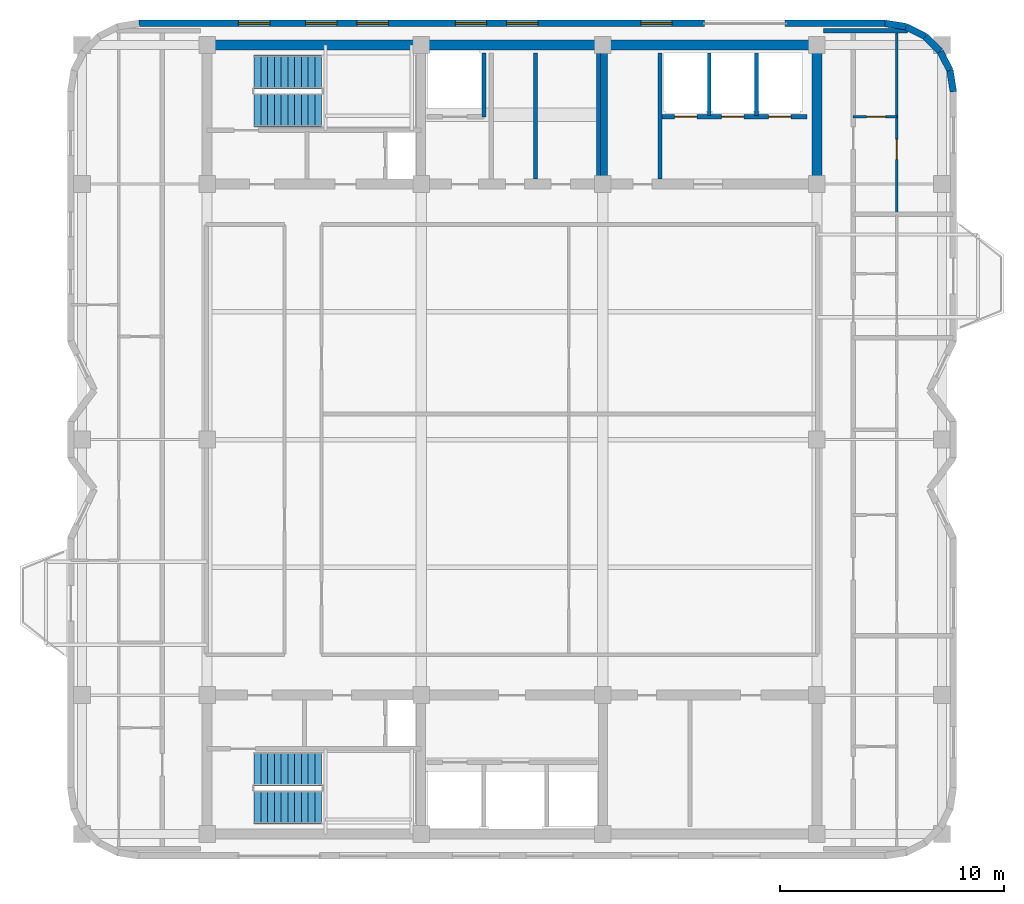
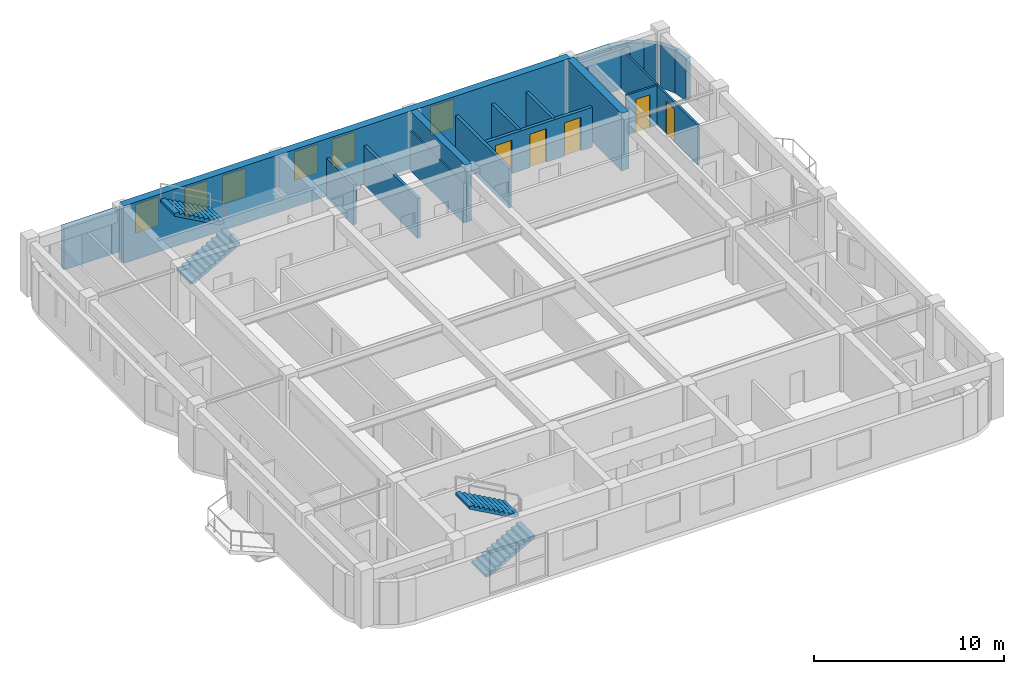
# One storey, part 9 of 11: 20 walls, 6 windows, 5 doors, 4 stair flights, 11 openings, 2 elements without a shape of their own.
"""IFC4 building model written with IfcOpenShell, lengths in metres."""

from ifc_helpers import new_model, si_unit, direction, frame, frame_2d, origin, place, context, subcontext, project, spatial, polyline, rectangle, outline, extrude, material, layer, layer_set, type_object, element, fill, aggregate, save


model = new_model("IFC4")

# Units and contexts
model_context = context("Model", 3, precision=1e-05, world=origin(), true_north=direction((0.0, 1.0)))
body_context = subcontext(model_context, "Body", "Model", "MODEL_VIEW")
ifc_project = project(units=[si_unit("LENGTHUNIT", "METRE"), si_unit("AREAUNIT", "SQUARE_METRE"), si_unit("VOLUMEUNIT", "CUBIC_METRE"), si_unit("PLANEANGLEUNIT", "RADIAN"), si_unit("MASSUNIT", "GRAM", prefix="KILO")], contexts=[model_context])

# Site, building, storey
site_placement = place(None, origin())
site = spatial("IfcSite", under=ifc_project, at=site_placement, CompositionType="ELEMENT")
building_placement = place(site_placement, origin())
building = spatial("IfcBuilding", under=site, at=building_placement, Name="Svetorya Sky Lyceum", CompositionType="ELEMENT")
storey_placement = place(building_placement, frame((0.0, 0.0, 275.0)))
storey = spatial("IfcBuildingStorey", under=building, at=storey_placement, Name="L69", CompositionType="ELEMENT", Elevation=275.0)

# Walls
ifc_material_1 = material(Name="Concrete C40/50", Category="concrete")
ifc_layer_1 = layer(ifc_material_1, 0.39990234375)
ifc_layer_set_1 = layer_set([ifc_layer_1], Name="Concrete C40/50")
wall_type_1 = type_object("IfcWallType", Name="WL-CORE-400", PredefinedType="SHEAR", material=ifc_layer_set_1)
wall_1_placement = place(storey_placement, frame((43.25, 39.824951171875, 0.0), z_axis=(0.0, 0.0, 1.0), x_axis=(0.0, 1.0, 0.0)))
element("IfcWall", 1, at=wall_1_placement, inside=storey, type_object=wall_type_1, Name="L69 NC Internal Shear Web WEB2", PredefinedType="SHEAR", context=body_context, shape_type="SweptSolid", body=[
    extrude(rectangle(XDim=5.75, YDim=0.39990234375, at=frame_2d((2.875, 0.0))), origin(), (0.0, 0.0, 1.0), 3.699951171875),
])
ifc_material_2 = material(Name="Concrete C50/60", Category="concrete")
ifc_layer_2 = layer(ifc_material_2, 0.449951171875)
ifc_layer_set_2 = layer_set([ifc_layer_2], Name="Concrete C50/60")
wall_type_2 = type_object("IfcWallType", Name="WL-CORE-450", PredefinedType="SHEAR", material=ifc_layer_set_2)
wall_2_placement = place(storey_placement, frame((25.60009765625, 45.800048828125, 0.0), z_axis=(0.0, 0.0, 1.0), x_axis=(1.0, 0.0, 0.0)))
element("IfcWall", 2, at=wall_2_placement, inside=storey, type_object=wall_type_2, Name="L69 NC Outer Core Shear Wall", PredefinedType="SHEAR", context=body_context, shape_type="SweptSolid", body=[
    extrude(rectangle(XDim=27.199951171875, YDim=0.449951171875, at=frame_2d((13.60009765625, 0.0))), origin(), (0.0, 0.0, 1.0), 3.699951171875),
])
wall_3_placement = place(storey_placement, frame((52.800048828125, 39.824951171875, 0.0), z_axis=(0.0, 0.0, 1.0), x_axis=(0.0, 1.0, 0.0)))
element("IfcWall", 3, at=wall_3_placement, inside=storey, type_object=wall_type_2, Name="L69 NC East Core Shear Wall", PredefinedType="SHEAR", context=body_context, shape_type="SweptSolid", body=[
    extrude(rectangle(XDim=5.75, YDim=0.449951171875, at=frame_2d((2.875, 0.0))), origin(), (0.0, 0.0, 1.0), 3.699951171875),
])
ifc_material_3 = material(Name="Putilovo limestone rainscreen on autoclaved cellular masonry", Category="masonry")
ifc_layer_3 = layer(ifc_material_3, 0.300048828125)
ifc_layer_set_3 = layer_set([ifc_layer_3], Name="Putilovo limestone rainscreen on autoclaved cellular masonry")
wall_type_3 = type_object("IfcWallType", Name="WL-EXT-300", PredefinedType="SOLIDWALL", material=ifc_layer_set_3)
wall_4_placement = place(storey_placement, frame((58.889892578125, 43.719970703125, 0.0), z_axis=(0.0, 0.0, 1.0), x_axis=(-0.156304114255, 0.987708977314, 0.0)))
element("IfcWall", 4, at=wall_4_placement, inside=storey, type_object=wall_type_3, Name="L69 Limestone Exterior Wall 19M", PredefinedType="SOLIDWALL", context=body_context, shape_type="SweptSolid", body=[
    extrude(rectangle(XDim=0.954345703125, YDim=0.300048828125, at=frame_2d((0.47705078125, 0.0))), origin(), (0.0, 0.0, 1.0), 2.72998046875),
])
wall_5_placement = place(storey_placement, frame((58.74072265625, 44.66259765625, 0.0), z_axis=(0.0, 0.0, 1.0), x_axis=(-0.45395644796, 0.891023873617, 0.0)))
element("IfcWall", 5, at=wall_5_placement, inside=storey, type_object=wall_type_3, Name="L69 Limestone Exterior Wall 20M", PredefinedType="SOLIDWALL", context=body_context, shape_type="SweptSolid", body=[
    extrude(rectangle(XDim=0.9541015625, YDim=0.300048828125, at=frame_2d((0.47705078125, 0.0))), origin(), (0.0, 0.0, 1.0), 2.72998046875),
])
for number, where, z_axis, x_axis, name in (
    (6, (58.3076171875, 45.5126953125, 0.0), (0.0, 0.0, 1.0), (-0.707106781187, 0.707106781187, 0.0), "L69 Limestone Exterior Wall 21M"),
    (7, (57.6328125, 46.1875, 0.0), (0.0, 0.0, 1.0), (-0.891076589373, 0.453852962833, 0.0), "L69 Limestone Exterior Wall 22M"),
):
    element("IfcWall", number, at=place(storey_placement, frame(where, z_axis=z_axis, x_axis=x_axis)), inside=storey, type_object=wall_type_3, Name=name, PredefinedType="SOLIDWALL", context=body_context, shape_type="SweptSolid", body=[
        extrude(rectangle(XDim=0.954345703125, YDim=0.300048828125, at=frame_2d((0.47705078125, 0.0))), origin(), (0.0, 0.0, 1.0), 2.72998046875),
    ])
wall_6_placement = place(storey_placement, frame((56.782470703125, 46.62060546875, 0.0), z_axis=(0.0, 0.0, 1.0), x_axis=(-0.987663181641, 0.156593229835, 0.0)))
element("IfcWall", 8, at=wall_6_placement, inside=storey, type_object=wall_type_3, Name="L69 Limestone Exterior Wall 23M", PredefinedType="SOLIDWALL", context=body_context, shape_type="SweptSolid", body=[
    extrude(rectangle(XDim=0.9541015625, YDim=0.300048828125, at=frame_2d((0.47705078125, 0.0))), origin(), (0.0, 0.0, 1.0), 2.72998046875),
])
wall_7_placement = place(storey_placement, frame((55.840087890625, 46.77001953125, 0.0), z_axis=(0.0, 0.0, 1.0), x_axis=(-1.0, 0.0, 0.0)))
element("IfcWall", 9, at=wall_7_placement, inside=storey, type_object=wall_type_3, Name="L69 Limestone Exterior Wall 24A", PredefinedType="SOLIDWALL", context=body_context, shape_type="SweptSolid", body=[
    extrude(rectangle(XDim=4.4501953125, YDim=0.300048828125, at=frame_2d((2.22509765625, 0.0))), origin(), (0.0, 0.0, 1.0), 2.72998046875),
])

# Wall, openings, windows
wall_8_placement = place(storey_placement, frame((47.7900390625, 46.77001953125, 0.0), z_axis=(0.0, 0.0, 1.0), x_axis=(-1.0, 0.0, 0.0)))
wall_8 = element("IfcWall", 10, at=wall_8_placement, inside=storey, type_object=wall_type_3, Name="L69 Limestone Exterior Wall 24B", PredefinedType="SOLIDWALL", context=body_context, shape_type="SweptSolid", body=[
    extrude(rectangle(XDim=25.22998046875, YDim=0.300048828125, at=frame_2d((12.614990234375, 0.0))), origin(), (0.0, 0.0, 1.0), 2.72998046875),
])
opening_1_placement = place(wall_8_placement, frame((1.445556640625, 0.0, 0.760009765625)))
opening_1 = element("IfcOpeningElement", 11, at=opening_1_placement, cuts=wall_8, Name="Opening W-R2", PredefinedType="OPENING", context=body_context, shape_type="SweptSolid", body=[
    extrude(rectangle(XDim=1.39990234375, YDim=1.85009765625, at=frame_2d((0.699951171875, 0.925048828125))), frame((0.0, 0.159912109375, 0.0), z_axis=(0.0, -1.0, 0.0), x_axis=(1.0, 0.0, 0.0)), (0.0, 0.0, 1.0), 0.320068359375),
])
opening_2_placement = place(wall_8_placement, frame((7.427978515625, 0.0, 0.760009765625)))
opening_2 = element("IfcOpeningElement", 12, at=opening_2_placement, cuts=wall_8, Name="Opening W-R2", PredefinedType="OPENING", context=body_context, shape_type="SweptSolid", body=[
    extrude(rectangle(XDim=1.39990234375, YDim=1.85009765625, at=frame_2d((0.699951171875, 0.925048828125))), frame((0.0, 0.159912109375, 0.0), z_axis=(0.0, -1.0, 0.0), x_axis=(1.0, 0.0, 0.0)), (0.0, 0.0, 1.0), 0.320068359375),
])
opening_3_placement = place(wall_8_placement, frame((9.719482421875, 0.0, 0.760009765625)))
opening_3 = element("IfcOpeningElement", 13, at=opening_3_placement, cuts=wall_8, Name="Opening W-R2", PredefinedType="OPENING", context=body_context, shape_type="SweptSolid", body=[
    extrude(rectangle(XDim=1.39990234375, YDim=1.85009765625, at=frame_2d((0.699951171875, 0.925048828125))), frame((0.0, 0.159912109375, 0.0), z_axis=(0.0, -1.0, 0.0), x_axis=(1.0, 0.0, 0.0)), (0.0, 0.0, 1.0), 0.320068359375),
])
opening_4_placement = place(wall_8_placement, frame((14.110595703125, 0.0, 0.760009765625)))
opening_4 = element("IfcOpeningElement", 14, at=opening_4_placement, cuts=wall_8, Name="Opening W-R2", PredefinedType="OPENING", context=body_context, shape_type="SweptSolid", body=[
    extrude(rectangle(XDim=1.39990234375, YDim=1.85009765625, at=frame_2d((0.699951171875, 0.925048828125))), frame((0.0, 0.159912109375, 0.0), z_axis=(0.0, -1.0, 0.0), x_axis=(1.0, 0.0, 0.0)), (0.0, 0.0, 1.0), 0.320068359375),
])
opening_5_placement = place(wall_8_placement, frame((16.40185546875, 0.0, 0.760009765625)))
opening_5 = element("IfcOpeningElement", 15, at=opening_5_placement, cuts=wall_8, Name="Opening W-R2", PredefinedType="OPENING", context=body_context, shape_type="SweptSolid", body=[
    extrude(rectangle(XDim=1.39990234375, YDim=1.85009765625, at=frame_2d((0.699951171875, 0.925048828125))), frame((0.0, 0.159912109375, 0.0), z_axis=(0.0, -1.0, 0.0), x_axis=(1.0, 0.0, 0.0)), (0.0, 0.0, 1.0), 0.320068359375),
])
opening_6_placement = place(wall_8_placement, frame((19.39306640625, 0.0, 0.760009765625)))
opening_6 = element("IfcOpeningElement", 16, at=opening_6_placement, cuts=wall_8, Name="Opening W-R2", PredefinedType="OPENING", context=body_context, shape_type="SweptSolid", body=[
    extrude(rectangle(XDim=1.39990234375, YDim=1.85009765625, at=frame_2d((0.699951171875, 0.925048828125))), frame((0.0, 0.159912109375, 0.0), z_axis=(0.0, -1.0, 0.0), x_axis=(1.0, 0.0, 0.0)), (0.0, 0.0, 1.0), 0.320068359375),
])
ifc_material_4 = material(Name="Thermally broken aluminium frame with triple low-E glazing", Category="aluminium")
window_type = type_object("IfcWindowType", Name="WN-RES-140", PartitioningType="SINGLE_PANEL", PredefinedType="WINDOW", material=ifc_material_4)
window_1_placement = place(opening_1_placement, origin())
window_1 = element("IfcWindow", 17, at=window_1_placement, inside=storey, type_object=window_type, Name="L69 Facade Window W-R2.24B.1", OverallHeight=1.85009765625, OverallWidth=1.39990234375, PartitioningType="SINGLE_PANEL", PredefinedType="WINDOW", context=body_context, shape_type="SweptSolid", body=[
    extrude(rectangle(XDim=1.39990234375, YDim=1.85009765625, at=frame_2d((0.699951171875, 0.925048828125))), frame((0.0, 0.030029296875, 0.0), z_axis=(0.0, -1.0, 0.0), x_axis=(1.0, 0.0, 0.0)), (0.0, 0.0, 1.0), 0.06005859375),
])
fill(opening_1, window_1)
window_2_placement = place(opening_2_placement, origin())
window_2 = element("IfcWindow", 18, at=window_2_placement, inside=storey, type_object=window_type, Name="L69 Facade Window W-R2.24B.2", OverallHeight=1.85009765625, OverallWidth=1.39990234375, PartitioningType="SINGLE_PANEL", PredefinedType="WINDOW", context=body_context, shape_type="SweptSolid", body=[
    extrude(rectangle(XDim=1.39990234375, YDim=1.85009765625, at=frame_2d((0.699951171875, 0.925048828125))), frame((0.0, 0.030029296875, 0.0), z_axis=(0.0, -1.0, 0.0), x_axis=(1.0, 0.0, 0.0)), (0.0, 0.0, 1.0), 0.06005859375),
])
fill(opening_2, window_2)
window_3_placement = place(opening_3_placement, origin())
window_3 = element("IfcWindow", 19, at=window_3_placement, inside=storey, type_object=window_type, Name="L69 Facade Window W-R2.24B.3", OverallHeight=1.85009765625, OverallWidth=1.39990234375, PartitioningType="SINGLE_PANEL", PredefinedType="WINDOW", context=body_context, shape_type="SweptSolid", body=[
    extrude(rectangle(XDim=1.39990234375, YDim=1.85009765625, at=frame_2d((0.699951171875, 0.925048828125))), frame((0.0, 0.030029296875, 0.0), z_axis=(0.0, -1.0, 0.0), x_axis=(1.0, 0.0, 0.0)), (0.0, 0.0, 1.0), 0.06005859375),
])
fill(opening_3, window_3)
window_4_placement = place(opening_4_placement, origin())
window_4 = element("IfcWindow", 20, at=window_4_placement, inside=storey, type_object=window_type, Name="L69 Facade Window W-R2.24B.4", OverallHeight=1.85009765625, OverallWidth=1.39990234375, PartitioningType="SINGLE_PANEL", PredefinedType="WINDOW", context=body_context, shape_type="SweptSolid", body=[
    extrude(rectangle(XDim=1.39990234375, YDim=1.85009765625, at=frame_2d((0.699951171875, 0.925048828125))), frame((0.0, 0.030029296875, 0.0), z_axis=(0.0, -1.0, 0.0), x_axis=(1.0, 0.0, 0.0)), (0.0, 0.0, 1.0), 0.06005859375),
])
fill(opening_4, window_4)
window_5_placement = place(opening_5_placement, origin())
window_5 = element("IfcWindow", 21, at=window_5_placement, inside=storey, type_object=window_type, Name="L69 Facade Window W-R2.24B.5", OverallHeight=1.85009765625, OverallWidth=1.39990234375, PartitioningType="SINGLE_PANEL", PredefinedType="WINDOW", context=body_context, shape_type="SweptSolid", body=[
    extrude(rectangle(XDim=1.39990234375, YDim=1.85009765625, at=frame_2d((0.699951171875, 0.925048828125))), frame((0.0, 0.030029296875, 0.0), z_axis=(0.0, -1.0, 0.0), x_axis=(1.0, 0.0, 0.0)), (0.0, 0.0, 1.0), 0.06005859375),
])
fill(opening_5, window_5)
window_6_placement = place(opening_6_placement, origin())
window_6 = element("IfcWindow", 22, at=window_6_placement, inside=storey, type_object=window_type, Name="L69 Facade Window W-R2.24B.6", OverallHeight=1.85009765625, OverallWidth=1.39990234375, PartitioningType="SINGLE_PANEL", PredefinedType="WINDOW", context=body_context, shape_type="SweptSolid", body=[
    extrude(rectangle(XDim=1.39990234375, YDim=1.85009765625, at=frame_2d((0.699951171875, 0.925048828125))), frame((0.0, 0.030029296875, 0.0), z_axis=(0.0, -1.0, 0.0), x_axis=(1.0, 0.0, 0.0)), (0.0, 0.0, 1.0), 0.06005859375),
])
fill(opening_6, window_6)

# Wall, opening, door
ifc_material_5 = material(Name="Twin-stud galvanized framing with double fireboard", Category="gypsum")
ifc_layer_4 = layer(ifc_material_5, 0.1201171875)
ifc_layer_set_4 = layer_set([ifc_layer_4], Name="Twin-stud galvanized framing with double fireboard")
wall_type_4 = type_object("IfcWallType", Name="WL-PART-120", PredefinedType="PARTITIONING", material=ifc_layer_set_4)
wall_9_placement = place(storey_placement, frame((54.419921875, 42.60009765625, 0.0), z_axis=(0.0, 0.0, 1.0), x_axis=(1.0, 0.0, 0.0)))
wall_9 = element("IfcWall", 23, at=wall_9_placement, inside=storey, type_object=wall_type_4, Name="L69 Interior Partition E4-WH1", PredefinedType="PARTITIONING", context=body_context, shape_type="SweptSolid", body=[
    extrude(rectangle(XDim=1.9501953125, YDim=0.1201171875, at=frame_2d((0.97509765625, 0.0))), origin(), (0.0, 0.0, 1.0), 2.56005859375),
])
opening_7_placement = place(wall_9_placement, frame((0.60009765625, 0.0, 0.0)))
opening_7 = element("IfcOpeningElement", 24, at=opening_7_placement, cuts=wall_9, Name="Opening D-BT1", PredefinedType="OPENING", context=body_context, shape_type="SweptSolid", body=[
    extrude(rectangle(XDim=0.85009765625, YDim=2.10009765625, at=frame_2d((0.425048828125, 1.050048828125))), frame((0.0, 0.070068359375, 0.0), z_axis=(0.0, -1.0, 0.0), x_axis=(1.0, 0.0, 0.0)), (0.0, 0.0, 1.0), 0.14013671875),
])
ifc_material_6 = material(Name="Moisture-resistant laminate bathroom door")
door_type_1 = type_object("IfcDoorType", Name="DR-WET-850", OperationType="SINGLE_SWING_LEFT", PredefinedType="DOOR", material=ifc_material_6)
door_1_placement = place(opening_7_placement, origin())
door_1 = element("IfcDoor", 25, at=door_1_placement, inside=storey, type_object=door_type_1, Name="Apartment E4 Bathroom Door", OperationType="SINGLE_SWING_LEFT", OverallHeight=2.10009765625, OverallWidth=0.85009765625, PredefinedType="DOOR", context=body_context, shape_type="SweptSolid", body=[
    extrude(rectangle(XDim=0.85009765625, YDim=2.10009765625, at=frame_2d((0.425048828125, 1.050048828125))), frame((0.0, 0.02490234375, 0.0), z_axis=(0.0, -1.0, 0.0), x_axis=(1.0, 0.0, 0.0)), (0.0, 0.0, 1.0), 0.050048828125),
])
fill(opening_7, door_1)

wall_10_placement = place(storey_placement, frame((56.3701171875, 38.2900390625, 0.0), z_axis=(0.0, 0.0, 1.0), x_axis=(0.0, 1.0, 0.0)))
wall_10 = element("IfcWall", 26, at=wall_10_placement, inside=storey, type_object=wall_type_4, Name="L69 Interior Partition E4-WV", PredefinedType="PARTITIONING", context=body_context, shape_type="SweptSolid", body=[
    extrude(rectangle(XDim=8.119873046875, YDim=0.1201171875, at=frame_2d((4.06005859375, 0.0))), origin(), (0.0, 0.0, 1.0), 2.56005859375),
])
opening_8_placement = place(wall_10_placement, frame((2.409912109375, 0.0, 0.0)))
opening_8 = element("IfcOpeningElement", 27, at=opening_8_placement, cuts=wall_10, Name="Opening D-RM1", PredefinedType="OPENING", context=body_context, shape_type="SweptSolid", body=[
    extrude(rectangle(XDim=0.89990234375, YDim=2.10009765625, at=frame_2d((0.449951171875, 1.050048828125))), frame((0.0, 0.070068359375, 0.0), z_axis=(0.0, -1.0, 0.0), x_axis=(1.0, 0.0, 0.0)), (0.0, 0.0, 1.0), 0.14013671875),
])
ifc_material_7 = material(Name="Lacquered birch veneer internal door")
door_type_2 = type_object("IfcDoorType", Name="DR-INT-900", OperationType="SINGLE_SWING_LEFT", PredefinedType="DOOR", material=ifc_material_7)
door_2_placement = place(opening_8_placement, origin())
door_2 = element("IfcDoor", 28, at=door_2_placement, inside=storey, type_object=door_type_2, Name="Apartment E4 Living Door", OperationType="SINGLE_SWING_RIGHT", OverallHeight=2.10009765625, OverallWidth=0.89990234375, PredefinedType="DOOR", context=body_context, shape_type="SweptSolid", body=[
    extrude(rectangle(XDim=0.89990234375, YDim=2.10009765625, at=frame_2d((0.449951171875, 1.050048828125))), frame((0.0, 0.02490234375, 0.0), z_axis=(0.0, -1.0, 0.0), x_axis=(1.0, 0.0, 0.0)), (0.0, 0.0, 1.0), 0.050048828125),
])
fill(opening_8, door_2)

# Walls
ifc_material_8 = material(Name="Autoclaved cellular masonry blockwork with fire render", Category="masonry")
ifc_layer_5 = layer(ifc_material_8, 0.175048828125)
ifc_layer_set_5 = layer_set([ifc_layer_5], Name="Autoclaved cellular masonry blockwork with fire render")
wall_type_5 = type_object("IfcWallType", Name="WL-PART-175", PredefinedType="PARTITIONING", material=ifc_layer_set_5)
wall_11_placement = place(storey_placement, frame((37.949951171875, 42.60009765625, 0.0), z_axis=(0.0, 0.0, 1.0), x_axis=(0.0, 1.0, 0.0)))
element("IfcWall", 29, at=wall_11_placement, inside=storey, type_object=wall_type_5, Name="L69 Interior Partition NC-FL1SIDE", PredefinedType="PARTITIONING", context=body_context, shape_type="SweptSolid", body=[
    extrude(rectangle(XDim=2.849853515625, YDim=0.175048828125, at=frame_2d((1.4248046875, 0.0))), origin(), (0.0, 0.0, 1.0), 2.56005859375),
])
for number, where, z_axis, x_axis, name in (
    (30, (43.050048828125, 39.820068359375, 0.0), (0.0, 0.0, 1.0), (0.0, 1.0, 0.0), "L69 Interior Partition NC-FPM-END"),
    (31, (40.25, 39.820068359375, 0.0), (0.0, 0.0, 1.0), (0.0, 1.0, 0.0), "L69 Interior Partition NC-FPM-V2"),
    (32, (45.800048828125, 39.820068359375, 0.0), (0.0, 0.0, 1.0), (0.0, 1.0, 0.0), "L69 Interior Partition NC-PM3-FULL"),
):
    element("IfcWall", number, at=place(storey_placement, frame(where, z_axis=z_axis, x_axis=x_axis)), inside=storey, type_object=wall_type_5, Name=name, PredefinedType="PARTITIONING", context=body_context, shape_type="SweptSolid", body=[
        extrude(rectangle(XDim=5.6298828125, YDim=0.175048828125, at=frame_2d((2.81494140625, 0.0))), origin(), (0.0, 0.0, 1.0), 2.56005859375),
    ])
for number, where, z_axis, x_axis, name in (
    (33, (48.0, 42.64990234375, 0.0), (0.0, 0.0, 1.0), (0.0, 1.0, 0.0), "L69 Interior Partition NC-PH-D1"),
    (34, (50.10009765625, 42.64990234375, 0.0), (0.0, 0.0, 1.0), (0.0, 1.0, 0.0), "L69 Interior Partition NC-PH-D2"),
):
    element("IfcWall", number, at=place(storey_placement, frame(where, z_axis=z_axis, x_axis=x_axis)), inside=storey, type_object=wall_type_5, Name=name, PredefinedType="PARTITIONING", context=body_context, shape_type="SweptSolid", body=[
        extrude(rectangle(XDim=2.800048828125, YDim=0.175048828125, at=frame_2d((1.39990234375, 0.0))), origin(), (0.0, 0.0, 1.0), 2.56005859375),
    ])

# Wall, openings, doors
ifc_material_9 = material(Name="Autoclaved cellular masonry blockwork with gypsum plaster", Category="masonry")
ifc_layer_6 = layer(ifc_material_9, 0.199951171875)
ifc_layer_set_6 = layer_set([ifc_layer_6], Name="Autoclaved cellular masonry blockwork with gypsum plaster")
wall_type_6 = type_object("IfcWallType", Name="WL-PART-200", PredefinedType="PARTITIONING", material=ifc_layer_set_6)
wall_12_placement = place(storey_placement, frame((52.35009765625, 42.60009765625, 0.0), z_axis=(0.0, 0.0, 1.0), x_axis=(-1.0, 0.0, 0.0)))
wall_12 = element("IfcWall", 35, at=wall_12_placement, inside=storey, type_object=wall_type_6, Name="L69 Interior Partition NC-PHEW", PredefinedType="PARTITIONING", context=body_context, shape_type="SweptSolid", body=[
    extrude(rectangle(XDim=6.5, YDim=0.199951171875, at=frame_2d((3.25, 0.0))), origin(), (0.0, 0.0, 1.0), 2.56005859375),
])
opening_9_placement = place(wall_12_placement, frame((4.89990234375, 0.0, 0.0)))
opening_9 = element("IfcOpeningElement", 36, at=opening_9_placement, cuts=wall_12, Name="Opening LD-P1", PredefinedType="OPENING", context=body_context, shape_type="SweptSolid", body=[
    extrude(rectangle(XDim=1.0, YDim=2.14990234375, at=frame_2d((0.5, 1.074951171875))), frame((0.0, 0.10986328125, 0.0), z_axis=(0.0, -1.0, 0.0), x_axis=(1.0, 0.0, 0.0)), (0.0, 0.0, 1.0), 0.219970703125),
])
opening_10_placement = place(wall_12_placement, frame((2.800048828125, 0.0, 0.0)))
opening_10 = element("IfcOpeningElement", 37, at=opening_10_placement, cuts=wall_12, Name="Opening LD-P1", PredefinedType="OPENING", context=body_context, shape_type="SweptSolid", body=[
    extrude(rectangle(XDim=1.0, YDim=2.14990234375, at=frame_2d((0.5, 1.074951171875))), frame((0.0, 0.10986328125, 0.0), z_axis=(0.0, -1.0, 0.0), x_axis=(1.0, 0.0, 0.0)), (0.0, 0.0, 1.0), 0.219970703125),
])
opening_11_placement = place(wall_12_placement, frame((0.699951171875, 0.0, 0.0)))
opening_11 = element("IfcOpeningElement", 38, at=opening_11_placement, cuts=wall_12, Name="Opening LD-P1", PredefinedType="OPENING", context=body_context, shape_type="SweptSolid", body=[
    extrude(rectangle(XDim=1.0, YDim=2.14990234375, at=frame_2d((0.5, 1.074951171875))), frame((0.0, 0.10986328125, 0.0), z_axis=(0.0, -1.0, 0.0), x_axis=(1.0, 0.0, 0.0)), (0.0, 0.0, 1.0), 0.219970703125),
])
ifc_material_10 = material(Name="Champagne-anodized stainless passenger lift landing door")
door_type_3 = type_object("IfcDoorType", Name="DR-LIFT-1000", OperationType="SLIDING_TO_LEFT", PredefinedType="DOOR", material=ifc_material_10)
door_3_placement = place(opening_9_placement, origin())
door_3 = element("IfcDoor", 39, at=door_3_placement, inside=storey, type_object=door_type_3, Name="L69 Passenger Lift PH1 Landing Door", OperationType="SLIDING_TO_LEFT", OverallHeight=2.14990234375, OverallWidth=1.0, PredefinedType="DOOR", context=body_context, shape_type="SweptSolid", body=[
    extrude(rectangle(XDim=1.0, YDim=2.14990234375, at=frame_2d((0.5, 1.074951171875))), frame((0.0, 0.02490234375, 0.0), z_axis=(0.0, -1.0, 0.0), x_axis=(1.0, 0.0, 0.0)), (0.0, 0.0, 1.0), 0.050048828125),
])
fill(opening_9, door_3)
door_4_placement = place(opening_10_placement, origin())
door_4 = element("IfcDoor", 40, at=door_4_placement, inside=storey, type_object=door_type_3, Name="L69 Passenger Lift PH2 Landing Door", OperationType="SLIDING_TO_LEFT", OverallHeight=2.14990234375, OverallWidth=1.0, PredefinedType="DOOR", context=body_context, shape_type="SweptSolid", body=[
    extrude(rectangle(XDim=1.0, YDim=2.14990234375, at=frame_2d((0.5, 1.074951171875))), frame((0.0, 0.02490234375, 0.0), z_axis=(0.0, -1.0, 0.0), x_axis=(1.0, 0.0, 0.0)), (0.0, 0.0, 1.0), 0.050048828125),
])
fill(opening_10, door_4)
door_5_placement = place(opening_11_placement, origin())
door_5 = element("IfcDoor", 41, at=door_5_placement, inside=storey, type_object=door_type_3, Name="L69 Passenger Lift PH3 Landing Door", OperationType="SLIDING_TO_LEFT", OverallHeight=2.14990234375, OverallWidth=1.0, PredefinedType="DOOR", context=body_context, shape_type="SweptSolid", body=[
    extrude(rectangle(XDim=1.0, YDim=2.14990234375, at=frame_2d((0.5, 1.074951171875))), frame((0.0, 0.02490234375, 0.0), z_axis=(0.0, -1.0, 0.0), x_axis=(1.0, 0.0, 0.0)), (0.0, 0.0, 1.0), 0.050048828125),
])
fill(opening_11, door_5)

# Wall
wall_13_placement = place(storey_placement, frame((53.10009765625, 46.449951171875, 0.0), z_axis=(0.0, 0.0, 1.0), x_axis=(1.0, 0.0, 0.0)))
element("IfcWall", 42, at=wall_13_placement, inside=storey, type_object=wall_type_6, Name="L69 Interior Partition E-CAP-N", PredefinedType="PARTITIONING", context=body_context, shape_type="SweptSolid", body=[
    extrude(rectangle(XDim=3.75390625, YDim=0.199951171875, at=frame_2d((1.876953125, 0.0))), origin(), (0.0, 0.0, 1.0), 2.56005859375),
])

# Stair, stair flights
stair_type_1 = type_object("IfcStairType", Name="STR-ST-N", PredefinedType="HALF_TURN_STAIR", material=ifc_material_1)
stair_1_placement = place(storey_placement, origin())
stair_1 = element("IfcStair", 43, at=stair_1_placement, inside=storey, type_object=stair_type_1, Name="L69 North Core Smoke-Free Exit Stair N3", PredefinedType="HALF_TURN_STAIR")
stair_flight_type_1 = type_object("IfcStairFlightType", Name="SFL-ST-N", PredefinedType="STRAIGHT", material=ifc_material_1)
stair_flight_1_placement = place(storey_placement, frame((27.699951171875, 42.89990234375, 0.0), z_axis=(0.0, 0.0, 1.0), x_axis=(1.0, 0.0, 0.0)))
stair_flight_1 = element("IfcStairFlight", 44, at=stair_flight_1_placement, type_object=stair_flight_type_1, Name="ST-N flight 1", NumberOfRisers=11, NumberOfTreads=10, PredefinedType="STRAIGHT", RiserHeight=0.168181818, TreadLength=0.3, context=body_context, shape_type="SweptSolid", body=[
    extrude(outline(polyline([(0.0, 0.0), (0.0, 0.168212890625), (0.300048828125, 0.168212890625), (0.300048828125, 0.33642578125), (0.60009765625, 0.33642578125), (0.60009765625, 0.504638671875), (0.89990234375, 0.504638671875), (0.89990234375, 0.672607421875), (1.199951171875, 0.672607421875), (1.199951171875, 0.8408203125), (1.5, 0.8408203125), (1.5, 1.009033203125), (1.800048828125, 1.009033203125), (1.800048828125, 1.17724609375), (2.10009765625, 1.17724609375), (2.10009765625, 1.345458984375), (2.39990234375, 1.345458984375), (2.39990234375, 1.513671875), (2.699951171875, 1.513671875), (2.699951171875, 1.681884765625), (3.0, 1.681884765625), (3.0, 1.85009765625), (3.0, 1.510009765625), (0.306640625, 0.0), (0.0, 0.0)])), frame((0.0, 0.75, 0.0), z_axis=(0.0, -1.0, 0.0), x_axis=(1.0, 0.0, 0.0)), (0.0, 0.0, 1.0), 1.5),
])
stair_flight_2_placement = place(storey_placement, frame((30.699951171875, 44.60009765625, 1.85009765625), z_axis=(0.0, 0.0, 1.0), x_axis=(-1.0, 0.0, 0.0)))
stair_flight_2 = element("IfcStairFlight", 45, at=stair_flight_2_placement, type_object=stair_flight_type_1, Name="ST-N flight 2", NumberOfRisers=11, NumberOfTreads=10, PredefinedType="STRAIGHT", RiserHeight=0.168181818, TreadLength=0.3, context=body_context, shape_type="SweptSolid", body=[
    extrude(outline(polyline([(0.0, 0.0), (0.0, 0.168212890625), (0.300048828125, 0.168212890625), (0.300048828125, 0.33642578125), (0.60009765625, 0.33642578125), (0.60009765625, 0.504638671875), (0.89990234375, 0.504638671875), (0.89990234375, 0.672607421875), (1.199951171875, 0.672607421875), (1.199951171875, 0.8408203125), (1.5, 0.8408203125), (1.5, 1.009033203125), (1.800048828125, 1.009033203125), (1.800048828125, 1.17724609375), (2.10009765625, 1.17724609375), (2.10009765625, 1.345458984375), (2.39990234375, 1.345458984375), (2.39990234375, 1.513671875), (2.699951171875, 1.513671875), (2.699951171875, 1.681884765625), (3.0, 1.681884765625), (3.0, 1.85009765625), (3.0, 1.510009765625), (0.306640625, 0.0), (0.0, 0.0)])), frame((0.0, 0.75, 0.0), z_axis=(0.0, -1.0, 0.0), x_axis=(1.0, 0.0, 0.0)), (0.0, 0.0, 1.0), 1.5),
])
aggregate(stair_1, [stair_flight_1, stair_flight_2])

stair_type_2 = type_object("IfcStairType", Name="STR-ST-S", PredefinedType="HALF_TURN_STAIR", material=ifc_material_1)
stair_2_placement = place(storey_placement, origin())
stair_2 = element("IfcStair", 46, at=stair_2_placement, inside=storey, type_object=stair_type_2, Name="L69 South Core Smoke-Free Exit Stair N2", PredefinedType="HALF_TURN_STAIR")
stair_flight_type_2 = type_object("IfcStairFlightType", Name="SFL-ST-S", PredefinedType="STRAIGHT", material=ifc_material_1)
stair_flight_3_placement = place(storey_placement, frame((27.699951171875, 11.800048828125, 0.0), z_axis=(0.0, 0.0, 1.0), x_axis=(1.0, 0.0, 0.0)))
stair_flight_3 = element("IfcStairFlight", 47, at=stair_flight_3_placement, type_object=stair_flight_type_2, Name="ST-S flight 1", NumberOfRisers=11, NumberOfTreads=10, PredefinedType="STRAIGHT", RiserHeight=0.168181818, TreadLength=0.3, context=body_context, shape_type="SweptSolid", body=[
    extrude(outline(polyline([(0.0, 0.0), (0.0, 0.168212890625), (0.300048828125, 0.168212890625), (0.300048828125, 0.33642578125), (0.60009765625, 0.33642578125), (0.60009765625, 0.504638671875), (0.89990234375, 0.504638671875), (0.89990234375, 0.672607421875), (1.199951171875, 0.672607421875), (1.199951171875, 0.8408203125), (1.5, 0.8408203125), (1.5, 1.009033203125), (1.800048828125, 1.009033203125), (1.800048828125, 1.17724609375), (2.10009765625, 1.17724609375), (2.10009765625, 1.345458984375), (2.39990234375, 1.345458984375), (2.39990234375, 1.513671875), (2.699951171875, 1.513671875), (2.699951171875, 1.681884765625), (3.0, 1.681884765625), (3.0, 1.85009765625), (3.0, 1.510009765625), (0.306640625, 0.0), (0.0, 0.0)])), frame((0.0, 0.75, 0.0), z_axis=(0.0, -1.0, 0.0), x_axis=(1.0, 0.0, 0.0)), (0.0, 0.0, 1.0), 1.5),
])
stair_flight_4_placement = place(storey_placement, frame((30.699951171875, 13.5, 1.85009765625), z_axis=(0.0, 0.0, 1.0), x_axis=(-1.0, 0.0, 0.0)))
stair_flight_4 = element("IfcStairFlight", 48, at=stair_flight_4_placement, type_object=stair_flight_type_2, Name="ST-S flight 2", NumberOfRisers=11, NumberOfTreads=10, PredefinedType="STRAIGHT", RiserHeight=0.168181818, TreadLength=0.3, context=body_context, shape_type="SweptSolid", body=[
    extrude(outline(polyline([(0.0, 0.0), (0.0, 0.168212890625), (0.300048828125, 0.168212890625), (0.300048828125, 0.33642578125), (0.60009765625, 0.33642578125), (0.60009765625, 0.504638671875), (0.89990234375, 0.504638671875), (0.89990234375, 0.672607421875), (1.199951171875, 0.672607421875), (1.199951171875, 0.8408203125), (1.5, 0.8408203125), (1.5, 1.009033203125), (1.800048828125, 1.009033203125), (1.800048828125, 1.17724609375), (2.10009765625, 1.17724609375), (2.10009765625, 1.345458984375), (2.39990234375, 1.345458984375), (2.39990234375, 1.513671875), (2.699951171875, 1.513671875), (2.699951171875, 1.681884765625), (3.0, 1.681884765625), (3.0, 1.85009765625), (3.0, 1.510009765625), (0.306640625, 0.0), (0.0, 0.0)])), frame((0.0, 0.75, 0.0), z_axis=(0.0, -1.0, 0.0), x_axis=(1.0, 0.0, 0.0)), (0.0, 0.0, 1.0), 1.5),
])
aggregate(stair_2, [stair_flight_3, stair_flight_4])

save(model, "model.ifc")
